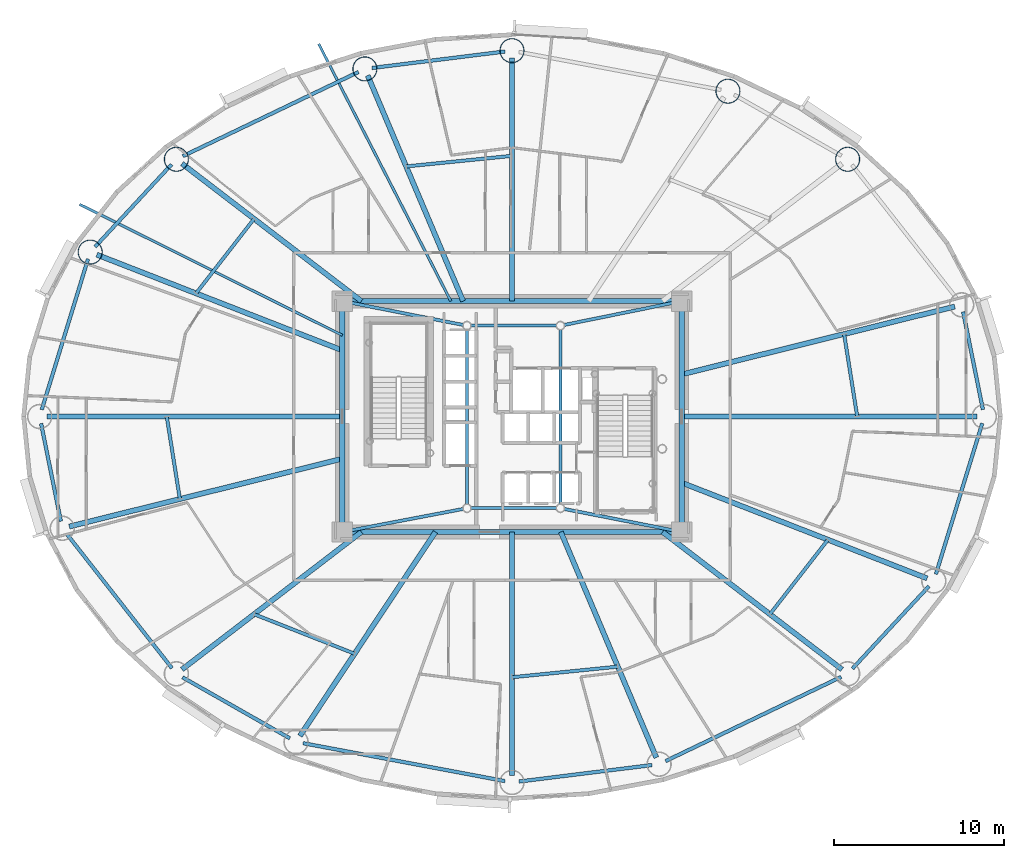
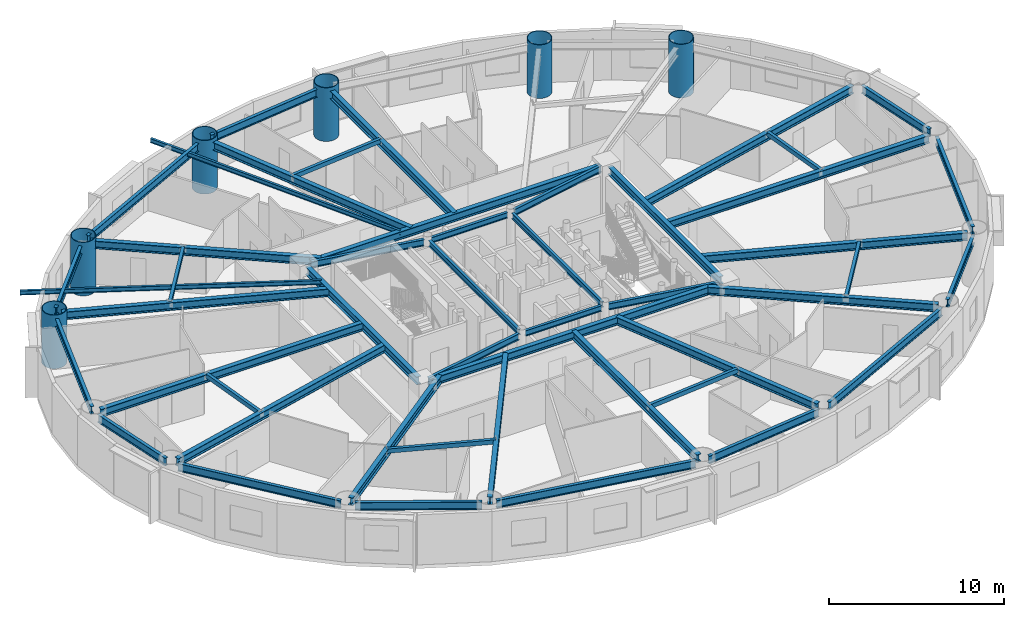
# One storey, part 3 of 21: 48 beams, 6 columns.
"""IFC4 building model written with IfcOpenShell, lengths in metres."""

from ifc_helpers import new_model, si_unit, direction, frame, origin, origin_2d, place, context, subcontext, project, spatial, hollow_rectangle, hollow_circle, i_section, extrude, material, material_profile, profile_set, type_object, element, save


model = new_model("IFC4")

# Units and contexts
model_context = context("Model", 3, precision=1e-05, world=origin(), true_north=direction((0.0, 1.0)))
body_context = subcontext(model_context, "Body", "Model", "MODEL_VIEW")
ifc_project = project(units=[si_unit("LENGTHUNIT", "METRE"), si_unit("AREAUNIT", "SQUARE_METRE"), si_unit("VOLUMEUNIT", "CUBIC_METRE"), si_unit("PLANEANGLEUNIT", "RADIAN"), si_unit("MASSUNIT", "GRAM", prefix="KILO")], contexts=[model_context])

# Site, building, storey
site_placement = place(None, origin())
site = spatial("IfcSite", under=ifc_project, at=site_placement, CompositionType="ELEMENT")
building_placement = place(site_placement, origin())
building = spatial("IfcBuilding", under=site, at=building_placement, Name="Linh Dai School and Residence Tower", CompositionType="ELEMENT")
storey_placement = place(building_placement, frame((0.0, 0.0, 115.949951171875)))
storey = spatial("IfcBuildingStorey", under=building, at=storey_placement, Name="L27", CompositionType="ELEMENT", Elevation=115.949951171875)

# Columns
ifc_material = material(Name="Structural Steel S355JR", Category="steel")
ifc_material_profile_1 = material_profile(ifc_material, hollow_circle(Radius=0.72509765625, WallThickness=0.0419921875, at=origin_2d()), Name="CHS 1450x42")
ifc_profile_set_1 = profile_set([ifc_material_profile_1], Name="Structural Steel S355JR")
column_type = type_object("IfcColumnType", Name="COL-MC3", PredefinedType="COLUMN", material=ifc_profile_set_1)
for number, where, z_axis, x_axis, name in (
    (1, (55.772705078125, 42.155517578125, 0.0), (0.0, 0.0, 1.0), (1.0, 0.0, 0.0), "L27 Perimeter CFT Mega-Column MC03"),
    (2, (48.721923828125, 46.1650390625, 0.0), (0.0, 0.0, 1.0), (1.0, 0.0, 0.0), "L27 Perimeter CFT Mega-Column MC04"),
    (3, (36.0, 48.554931640625, 0.0), (0.0, 0.0, 1.0), (1.0, 0.0, 0.0), "L27 Perimeter CFT Mega-Column MC05"),
    (4, (27.33447265625, 47.480712890625, 0.0), (0.0, 0.0, 1.0), (1.0, 0.0, 0.0), "L27 Perimeter CFT Mega-Column MC06"),
    (5, (16.227294921875, 42.155517578125, 0.0), (0.0, 0.0, 1.0), (1.0, 0.0, 0.0), "L27 Perimeter CFT Mega-Column MC07"),
    (6, (11.15087890625, 36.6875, 0.0), (0.0, 0.0, 1.0), (1.0, 0.0, 0.0), "L27 Perimeter CFT Mega-Column MC08"),
):
    element("IfcColumn", number, at=place(storey_placement, frame(where, z_axis=z_axis, x_axis=x_axis)), inside=storey, type_object=column_type, Name=name, PredefinedType="COLUMN", context=body_context, shape_type="SweptSolid", body=[
        extrude(hollow_circle(Radius=0.72509765625, WallThickness=0.0419921875, at=origin_2d()), origin(), (0.0, 0.0, 1.0), 3.75),
    ])

# Beams
ifc_material_profile_2 = material_profile(ifc_material, i_section(OverallWidth=0.14990234375, OverallDepth=0.300048828125, WebThickness=0.007080078125, FlangeThickness=0.0107421875, at=origin_2d()), Name="IPE 300")
ifc_profile_set_2 = profile_set([ifc_material_profile_2], Name="Structural Steel S355JR")
beam_type_1 = type_object("IfcBeamType", Name="BM-BALC-CANT", PredefinedType="BEAM", material=ifc_profile_set_2)
beam_1_placement = place(storey_placement, frame((32.39501953125, 33.800048828125, 3.35009765625), z_axis=(-0.456823084527, 0.889557569493, 0.0), x_axis=(-0.889557569493, -0.456823084527, 0.0)))
element("IfcBeam", 7, at=beam_1_placement, inside=storey, type_object=beam_type_1, Name="L28 Balcony Continuous Cantilever Beam 13", PredefinedType="BEAM", context=body_context, shape_type="SweptSolid", body=[
    extrude(i_section(OverallWidth=0.14990234375, OverallDepth=0.300048828125, WebThickness=0.007080078125, FlangeThickness=0.0107421875, at=origin_2d()), origin(), (0.0, 0.0, 1.0), 17.027099609375),
])
beam_2_placement = place(storey_placement, frame((26.0, 31.786376953125, 3.35009765625), z_axis=(-0.894957307699, 0.446151787395, 0.0), x_axis=(-0.446151787395, -0.894957307699, 0.0)))
element("IfcBeam", 8, at=beam_2_placement, inside=storey, type_object=beam_type_1, Name="L28 Balcony Continuous Cantilever Beam 17", PredefinedType="BEAM", context=body_context, shape_type="SweptSolid", body=[
    extrude(i_section(OverallWidth=0.14990234375, OverallDepth=0.300048828125, WebThickness=0.007080078125, FlangeThickness=0.0107421875, at=origin_2d()), origin(), (0.0, 0.0, 1.0), 17.2958984375),
])
ifc_material_profile_3 = material_profile(ifc_material, hollow_rectangle(XDim=0.199951171875, YDim=0.300048828125, WallThickness=0.010009765625, at=origin_2d()), Name="RHS 300x200x10")
ifc_profile_set_3 = profile_set([ifc_material_profile_3], Name="Structural Steel S355JR")
beam_type_2 = type_object("IfcBeamType", Name="BM-BX3", PredefinedType="BEAM", material=ifc_profile_set_3)
beam_3_placement = place(storey_placement, frame((56.337646484375, 27.0048828125, 3.35009765625), z_axis=(-0.157026901302, 0.987594325757, 0.0), x_axis=(-0.987594325757, -0.157026901302, 0.0)))
element("IfcBeam", 9, at=beam_3_placement, inside=storey, type_object=beam_type_2, Name="L27 Secondary Circumferential Floor Beam 01", PredefinedType="BEAM", context=body_context, shape_type="SweptSolid", body=[
    extrude(hollow_rectangle(XDim=0.199951171875, YDim=0.300048828125, WallThickness=0.010009765625, at=origin_2d()), origin(), (0.0, 0.0, 1.0), 4.91162109375),
])
beam_4_placement = place(storey_placement, frame((35.9951171875, 42.357421875, 3.35009765625), z_axis=(-0.995043370853, -0.099441893196, 0.0), x_axis=(0.099441893196, -0.995043370853, 0.0)))
element("IfcBeam", 10, at=beam_4_placement, inside=storey, type_object=beam_type_2, Name="L27 Secondary Circumferential Floor Beam 03", PredefinedType="BEAM", context=body_context, shape_type="SweptSolid", body=[
    extrude(hollow_rectangle(XDim=0.199951171875, YDim=0.300048828125, WallThickness=0.010009765625, at=origin_2d()), origin(), (0.0, 0.0, 1.0), 6.255615234375),
])
beam_5_placement = place(storey_placement, frame((20.802734375, 38.64208984375, 3.35009765625), z_axis=(-0.614369629322, -0.789018351223, 0.0), x_axis=(0.789018351223, -0.614369629322, 0.0)))
element("IfcBeam", 11, at=beam_5_placement, inside=storey, type_object=beam_type_2, Name="L27 Secondary Circumferential Floor Beam 04", PredefinedType="BEAM", context=body_context, shape_type="SweptSolid", body=[
    extrude(hollow_rectangle(XDim=0.199951171875, YDim=0.300048828125, WallThickness=0.010009765625, at=origin_2d()), origin(), (0.0, 0.0, 1.0), 5.553955078125),
])
beam_6_placement = place(storey_placement, frame((15.662353515625, 26.9951171875, 3.35009765625), z_axis=(0.157026901302, -0.987594325757, 0.0), x_axis=(0.987594325757, 0.157026901302, 0.0)))
element("IfcBeam", 12, at=beam_6_placement, inside=storey, type_object=beam_type_2, Name="L27 Secondary Circumferential Floor Beam 05", PredefinedType="BEAM", context=body_context, shape_type="SweptSolid", body=[
    extrude(hollow_rectangle(XDim=0.199951171875, YDim=0.300048828125, WallThickness=0.010009765625, at=origin_2d()), origin(), (0.0, 0.0, 1.0), 4.91162109375),
])
beam_7_placement = place(storey_placement, frame((20.810546875, 15.35205078125, 3.35009765625), z_axis=(0.930742146732, -0.365676163151, 0.0), x_axis=(0.365676163151, 0.930742146732, 0.0)))
element("IfcBeam", 13, at=beam_7_placement, inside=storey, type_object=beam_type_2, Name="L27 Secondary Circumferential Floor Beam 06", PredefinedType="BEAM", context=body_context, shape_type="SweptSolid", body=[
    extrude(hollow_rectangle(XDim=0.199951171875, YDim=0.300048828125, WallThickness=0.010009765625, at=origin_2d()), origin(), (0.0, 0.0, 1.0), 6.349853515625),
])
beam_8_placement = place(storey_placement, frame((36.0048828125, 11.642578125, 3.35009765625), z_axis=(0.995043370853, 0.099441893196, 0.0), x_axis=(-0.099441893196, 0.995043370853, 0.0)))
element("IfcBeam", 14, at=beam_8_placement, inside=storey, type_object=beam_type_2, Name="L27 Secondary Circumferential Floor Beam 07", PredefinedType="BEAM", context=body_context, shape_type="SweptSolid", body=[
    extrude(hollow_rectangle(XDim=0.199951171875, YDim=0.300048828125, WallThickness=0.010009765625, at=origin_2d()), origin(), (0.0, 0.0, 1.0), 6.255615234375),
])
beam_9_placement = place(storey_placement, frame((51.197265625, 15.35791015625, 3.35009765625), z_axis=(0.614369629322, 0.789018351223, 0.0), x_axis=(-0.789018351223, 0.614369629322, 0.0)))
element("IfcBeam", 15, at=beam_9_placement, inside=storey, type_object=beam_type_2, Name="L27 Secondary Circumferential Floor Beam 08", PredefinedType="BEAM", context=body_context, shape_type="SweptSolid", body=[
    extrude(hollow_rectangle(XDim=0.199951171875, YDim=0.300048828125, WallThickness=0.010009765625, at=origin_2d()), origin(), (0.0, 0.0, 1.0), 5.553955078125),
])
ifc_material_profile_4 = material_profile(ifc_material, i_section(OverallWidth=0.2099609375, OverallDepth=0.550048828125, WebThickness=0.010986328125, FlangeThickness=0.01708984375, FilletRadius=0.02392578125, at=origin_2d()), Name="IPE 550")
ifc_profile_set_4 = profile_set([ifc_material_profile_4], Name="Structural Steel S355JR")
beam_type_3 = type_object("IfcBeamType", Name="BM-RB55", PredefinedType="BEAM", material=ifc_profile_set_4)
beam_10_placement = place(storey_placement, frame((63.74169921875, 27.41162109375, 3.22509765625), z_axis=(-0.198441254313, 0.980112783605, 0.0), x_axis=(-0.980112783605, -0.198441254313, 0.0)))
element("IfcBeam", 16, at=beam_10_placement, inside=storey, type_object=beam_type_3, Name="L27 Perimeter Elliptical Ring Beam 01", PredefinedType="BEAM", context=body_context, shape_type="SweptSolid", body=[
    extrude(i_section(OverallWidth=0.2099609375, OverallDepth=0.550048828125, WebThickness=0.010986328125, FlangeThickness=0.01708984375, FilletRadius=0.02392578125, at=origin_2d()), origin(), (0.0, 0.0, 1.0), 5.874755859375),
])
beam_11_placement = place(storey_placement, frame((35.583251953125, 48.50341796875, 3.22509765625), z_axis=(-0.992399234854, -0.123059979933, 0.0), x_axis=(0.123059979933, -0.992399234854, 0.0)))
element("IfcBeam", 17, at=beam_11_placement, inside=storey, type_object=beam_type_3, Name="L27 Perimeter Elliptical Ring Beam 05", PredefinedType="BEAM", context=body_context, shape_type="SweptSolid", body=[
    extrude(i_section(OverallWidth=0.2099609375, OverallDepth=0.550048828125, WebThickness=0.010986328125, FlangeThickness=0.01708984375, FilletRadius=0.02392578125, at=origin_2d()), origin(), (0.0, 0.0, 1.0), 7.89208984375),
])
beam_12_placement = place(storey_placement, frame((26.955810546875, 47.299072265625, 3.22509765625), z_axis=(-0.901715153312, -0.432330640005, 0.0), x_axis=(0.432330640005, -0.901715153312, 0.0)))
element("IfcBeam", 18, at=beam_12_placement, inside=storey, type_object=beam_type_3, Name="L27 Perimeter Elliptical Ring Beam 06", PredefinedType="BEAM", context=body_context, shape_type="SweptSolid", body=[
    extrude(i_section(OverallWidth=0.2099609375, OverallDepth=0.550048828125, WebThickness=0.010986328125, FlangeThickness=0.01708984375, FilletRadius=0.02392578125, at=origin_2d()), origin(), (0.0, 0.0, 1.0), 11.477783203125),
])
beam_13_placement = place(storey_placement, frame((15.941650390625, 41.84765625, 3.22509765625), z_axis=(-0.680384623752, -0.732855213369, 0.0), x_axis=(0.732855213369, -0.680384623752, 0.0)))
element("IfcBeam", 19, at=beam_13_placement, inside=storey, type_object=beam_type_3, Name="L27 Perimeter Elliptical Ring Beam 07", PredefinedType="BEAM", context=body_context, shape_type="SweptSolid", body=[
    extrude(i_section(OverallWidth=0.2099609375, OverallDepth=0.550048828125, WebThickness=0.010986328125, FlangeThickness=0.01708984375, FilletRadius=0.02392578125, at=origin_2d()), origin(), (0.0, 0.0, 1.0), 6.62109375),
])
beam_14_placement = place(storey_placement, frame((11.027587890625, 36.2861328125, 3.22509765625), z_axis=(-0.29364097848, -0.95591577859, 0.0), x_axis=(0.95591577859, -0.29364097848, 0.0)))
element("IfcBeam", 20, at=beam_14_placement, inside=storey, type_object=beam_type_3, Name="L27 Perimeter Elliptical Ring Beam 08", PredefinedType="BEAM", context=body_context, shape_type="SweptSolid", body=[
    extrude(i_section(OverallWidth=0.2099609375, OverallDepth=0.550048828125, WebThickness=0.010986328125, FlangeThickness=0.01708984375, FilletRadius=0.02392578125, at=origin_2d()), origin(), (0.0, 0.0, 1.0), 9.29443359375),
])
beam_15_placement = place(storey_placement, frame((8.25830078125, 26.58837890625, 3.22509765625), z_axis=(0.198441254313, -0.980112783605, 0.0), x_axis=(0.980112783605, 0.198441254313, 0.0)))
element("IfcBeam", 21, at=beam_15_placement, inside=storey, type_object=beam_type_3, Name="L27 Perimeter Elliptical Ring Beam 09", PredefinedType="BEAM", context=body_context, shape_type="SweptSolid", body=[
    extrude(i_section(OverallWidth=0.2099609375, OverallDepth=0.550048828125, WebThickness=0.010986328125, FlangeThickness=0.01708984375, FilletRadius=0.02392578125, at=origin_2d()), origin(), (0.0, 0.0, 1.0), 5.874755859375),
])
beam_16_placement = place(storey_placement, frame((9.766357421875, 20.08837890625, 3.22509765625), z_axis=(0.616854830973, -0.787076945098, 0.0), x_axis=(0.787076945098, 0.616854830973, 0.0)))
element("IfcBeam", 22, at=beam_16_placement, inside=storey, type_object=beam_type_3, Name="L27 Perimeter Elliptical Ring Beam 10", PredefinedType="BEAM", context=body_context, shape_type="SweptSolid", body=[
    extrude(i_section(OverallWidth=0.2099609375, OverallDepth=0.550048828125, WebThickness=0.010986328125, FlangeThickness=0.01708984375, FilletRadius=0.02392578125, at=origin_2d()), origin(), (0.0, 0.0, 1.0), 10.053955078125),
])
beam_17_placement = place(storey_placement, frame((16.592529296875, 11.636962890625, 3.22509765625), z_axis=(0.86927031475, -0.494337050902, 0.0), x_axis=(0.494337050902, 0.86927031475, 0.0)))
element("IfcBeam", 23, at=beam_17_placement, inside=storey, type_object=beam_type_3, Name="L27 Perimeter Elliptical Ring Beam 11", PredefinedType="BEAM", context=body_context, shape_type="SweptSolid", body=[
    extrude(i_section(OverallWidth=0.2099609375, OverallDepth=0.550048828125, WebThickness=0.010986328125, FlangeThickness=0.01708984375, FilletRadius=0.02392578125, at=origin_2d()), origin(), (0.0, 0.0, 1.0), 7.270751953125),
])
beam_18_placement = place(storey_placement, frame((23.69091796875, 7.75732421875, 3.22509765625), z_axis=(0.982807507457, -0.184633158685, 0.0), x_axis=(0.184633158685, 0.982807507457, 0.0)))
element("IfcBeam", 24, at=beam_18_placement, inside=storey, type_object=beam_type_3, Name="L27 Perimeter Elliptical Ring Beam 12", PredefinedType="BEAM", context=body_context, shape_type="SweptSolid", body=[
    extrude(i_section(OverallWidth=0.2099609375, OverallDepth=0.550048828125, WebThickness=0.010986328125, FlangeThickness=0.01708984375, FilletRadius=0.02392578125, at=origin_2d()), origin(), (0.0, 0.0, 1.0), 12.104248046875),
])
beam_19_placement = place(storey_placement, frame((36.416748046875, 5.49658203125, 3.22509765625), z_axis=(0.992399234854, 0.123059979933, 0.0), x_axis=(-0.123059979933, 0.992399234854, 0.0)))
element("IfcBeam", 25, at=beam_19_placement, inside=storey, type_object=beam_type_3, Name="L27 Perimeter Elliptical Ring Beam 13", PredefinedType="BEAM", context=body_context, shape_type="SweptSolid", body=[
    extrude(i_section(OverallWidth=0.2099609375, OverallDepth=0.550048828125, WebThickness=0.010986328125, FlangeThickness=0.01708984375, FilletRadius=0.02392578125, at=origin_2d()), origin(), (0.0, 0.0, 1.0), 7.89208984375),
])
beam_20_placement = place(storey_placement, frame((45.044189453125, 6.700927734375, 3.22509765625), z_axis=(0.901715153312, 0.432330640005, 0.0), x_axis=(-0.432330640005, 0.901715153312, 0.0)))
element("IfcBeam", 26, at=beam_20_placement, inside=storey, type_object=beam_type_3, Name="L27 Perimeter Elliptical Ring Beam 14", PredefinedType="BEAM", context=body_context, shape_type="SweptSolid", body=[
    extrude(i_section(OverallWidth=0.2099609375, OverallDepth=0.550048828125, WebThickness=0.010986328125, FlangeThickness=0.01708984375, FilletRadius=0.02392578125, at=origin_2d()), origin(), (0.0, 0.0, 1.0), 11.477783203125),
])
beam_21_placement = place(storey_placement, frame((56.058349609375, 12.15234375, 3.22509765625), z_axis=(0.680384623752, 0.732855213369, 0.0), x_axis=(-0.732855213369, 0.680384623752, 0.0)))
element("IfcBeam", 27, at=beam_21_placement, inside=storey, type_object=beam_type_3, Name="L27 Perimeter Elliptical Ring Beam 15", PredefinedType="BEAM", context=body_context, shape_type="SweptSolid", body=[
    extrude(i_section(OverallWidth=0.2099609375, OverallDepth=0.550048828125, WebThickness=0.010986328125, FlangeThickness=0.01708984375, FilletRadius=0.02392578125, at=origin_2d()), origin(), (0.0, 0.0, 1.0), 6.62109375),
])
beam_22_placement = place(storey_placement, frame((60.972412109375, 17.7138671875, 3.22509765625), z_axis=(0.29364097848, 0.95591577859, 0.0), x_axis=(-0.95591577859, 0.29364097848, 0.0)))
element("IfcBeam", 28, at=beam_22_placement, inside=storey, type_object=beam_type_3, Name="L27 Perimeter Elliptical Ring Beam 16", PredefinedType="BEAM", context=body_context, shape_type="SweptSolid", body=[
    extrude(i_section(OverallWidth=0.2099609375, OverallDepth=0.550048828125, WebThickness=0.010986328125, FlangeThickness=0.01708984375, FilletRadius=0.02392578125, at=origin_2d()), origin(), (0.0, 0.0, 1.0), 9.29443359375),
])
ifc_material_profile_5 = material_profile(ifc_material, i_section(OverallWidth=0.300048828125, OverallDepth=0.550048828125, WebThickness=0.014892578125, FlangeThickness=0.029052734375, FilletRadius=0.027099609375, at=origin_2d()), Name="HEB 550")
ifc_profile_set_5 = profile_set([ifc_material_profile_5], Name="Structural Steel S355JR")
beam_type_4 = type_object("IfcBeamType", Name="BM-RG55", PredefinedType="BEAM", material=ifc_profile_set_5)
beam_23_placement = place(storey_placement, frame((26.419921875, 20.199951171875, 3.22509765625), z_axis=(1.0, 0.0, 0.0), x_axis=(0.0, 1.0, 0.0)))
element("IfcBeam", 29, at=beam_23_placement, inside=storey, type_object=beam_type_4, Name="L27 Core Perimeter Coupling Girder 1", PredefinedType="BEAM", context=body_context, shape_type="SweptSolid", body=[
    extrude(i_section(OverallWidth=0.300048828125, OverallDepth=0.550048828125, WebThickness=0.014892578125, FlangeThickness=0.029052734375, FilletRadius=0.027099609375, at=origin_2d()), origin(), (0.0, 0.0, 1.0), 19.16015625),
])
beam_24_placement = place(storey_placement, frame((46.0, 20.6201171875, 3.22509765625), z_axis=(0.0, 1.0, 0.0), x_axis=(-1.0, 0.0, 0.0)))
element("IfcBeam", 30, at=beam_24_placement, inside=storey, type_object=beam_type_4, Name="L27 Core Perimeter Coupling Girder 2", PredefinedType="BEAM", context=body_context, shape_type="SweptSolid", body=[
    extrude(i_section(OverallWidth=0.300048828125, OverallDepth=0.550048828125, WebThickness=0.014892578125, FlangeThickness=0.029052734375, FilletRadius=0.027099609375, at=origin_2d()), origin(), (0.0, 0.0, 1.0), 12.759765625),
])
beam_25_placement = place(storey_placement, frame((45.580078125, 33.800048828125, 3.22509765625), z_axis=(-1.0, 0.0, 0.0), x_axis=(0.0, -1.0, 0.0)))
element("IfcBeam", 31, at=beam_25_placement, inside=storey, type_object=beam_type_4, Name="L27 Core Perimeter Coupling Girder 3", PredefinedType="BEAM", context=body_context, shape_type="SweptSolid", body=[
    extrude(i_section(OverallWidth=0.300048828125, OverallDepth=0.550048828125, WebThickness=0.014892578125, FlangeThickness=0.029052734375, FilletRadius=0.027099609375, at=origin_2d()), origin(), (0.0, 0.0, 1.0), 19.16015625),
])
beam_26_placement = place(storey_placement, frame((26.0, 33.3798828125, 3.22509765625), z_axis=(0.0, -1.0, 0.0), x_axis=(1.0, 0.0, 0.0)))
element("IfcBeam", 32, at=beam_26_placement, inside=storey, type_object=beam_type_4, Name="L27 Core Perimeter Coupling Girder 4", PredefinedType="BEAM", context=body_context, shape_type="SweptSolid", body=[
    extrude(i_section(OverallWidth=0.300048828125, OverallDepth=0.550048828125, WebThickness=0.014892578125, FlangeThickness=0.029052734375, FilletRadius=0.027099609375, at=origin_2d()), origin(), (0.0, 0.0, 1.0), 12.759765625),
])
beam_27_placement = place(storey_placement, frame((46.0, 27.0, 3.22509765625), z_axis=(1.0, 0.0, 0.0), x_axis=(0.0, 1.0, 0.0)))
element("IfcBeam", 33, at=beam_27_placement, inside=storey, type_object=beam_type_4, Name="L27 Primary Radial Floor Girder 01", PredefinedType="BEAM", context=body_context, shape_type="SweptSolid", body=[
    extrude(i_section(OverallWidth=0.300048828125, OverallDepth=0.550048828125, WebThickness=0.014892578125, FlangeThickness=0.029052734375, FilletRadius=0.027099609375, at=origin_2d()), origin(), (0.0, 0.0, 1.0), 17.405029296875),
])
beam_28_placement = place(storey_placement, frame((46.0, 29.484130859375, 3.22509765625), z_axis=(0.970505338376, 0.241079630379, 0.0), x_axis=(-0.241079630379, 0.970505338376, 0.0)))
element("IfcBeam", 34, at=beam_28_placement, inside=storey, type_object=beam_type_4, Name="L27 Primary Radial Floor Girder 02", PredefinedType="BEAM", context=body_context, shape_type="SweptSolid", body=[
    extrude(i_section(OverallWidth=0.300048828125, OverallDepth=0.550048828125, WebThickness=0.014892578125, FlangeThickness=0.029052734375, FilletRadius=0.027099609375, at=origin_2d()), origin(), (0.0, 0.0, 1.0), 16.57373046875),
])
beam_29_placement = place(storey_placement, frame((36.0, 33.800048828125, 3.22509765625), z_axis=(0.0, 1.0, 0.0), x_axis=(-1.0, 0.0, 0.0)))
element("IfcBeam", 35, at=beam_29_placement, inside=storey, type_object=beam_type_4, Name="L27 Primary Radial Floor Girder 05", PredefinedType="BEAM", context=body_context, shape_type="SweptSolid", body=[
    extrude(i_section(OverallWidth=0.300048828125, OverallDepth=0.550048828125, WebThickness=0.014892578125, FlangeThickness=0.029052734375, FilletRadius=0.027099609375, at=origin_2d()), origin(), (0.0, 0.0, 1.0), 14.3349609375),
])
beam_30_placement = place(storey_placement, frame((33.122802734375, 33.800048828125, 3.22509765625), z_axis=(-0.389669233739, 0.920954878524, 0.0), x_axis=(-0.920954878524, -0.389669233739, 0.0)))
element("IfcBeam", 36, at=beam_30_placement, inside=storey, type_object=beam_type_4, Name="L27 Primary Radial Floor Girder 06", PredefinedType="BEAM", context=body_context, shape_type="SweptSolid", body=[
    extrude(i_section(OverallWidth=0.300048828125, OverallDepth=0.550048828125, WebThickness=0.014892578125, FlangeThickness=0.029052734375, FilletRadius=0.027099609375, at=origin_2d()), origin(), (0.0, 0.0, 1.0), 14.434814453125),
])
beam_31_placement = place(storey_placement, frame((27.12841796875, 33.800048828125, 3.22509765625), z_axis=(-0.793678660795, 0.608337228352, 0.0), x_axis=(-0.608337228352, -0.793678660795, 0.0)))
element("IfcBeam", 37, at=beam_31_placement, inside=storey, type_object=beam_type_4, Name="L27 Primary Radial Floor Girder 07", PredefinedType="BEAM", context=body_context, shape_type="SweptSolid", body=[
    extrude(i_section(OverallWidth=0.300048828125, OverallDepth=0.550048828125, WebThickness=0.014892578125, FlangeThickness=0.029052734375, FilletRadius=0.027099609375, at=origin_2d()), origin(), (0.0, 0.0, 1.0), 13.314697265625),
])
beam_32_placement = place(storey_placement, frame((26.0, 30.8984375, 3.22509765625), z_axis=(-0.931699338449, 0.363230426498, 0.0), x_axis=(-0.363230426498, -0.931699338449, 0.0)))
element("IfcBeam", 38, at=beam_32_placement, inside=storey, type_object=beam_type_4, Name="L27 Primary Radial Floor Girder 08", PredefinedType="BEAM", context=body_context, shape_type="SweptSolid", body=[
    extrude(i_section(OverallWidth=0.300048828125, OverallDepth=0.550048828125, WebThickness=0.014892578125, FlangeThickness=0.029052734375, FilletRadius=0.027099609375, at=origin_2d()), origin(), (0.0, 0.0, 1.0), 15.517578125),
])
beam_33_placement = place(storey_placement, frame((26.0, 27.0, 3.22509765625), z_axis=(-1.0, 0.0, 0.0), x_axis=(0.0, -1.0, 0.0)))
element("IfcBeam", 39, at=beam_33_placement, inside=storey, type_object=beam_type_4, Name="L27 Primary Radial Floor Girder 09", PredefinedType="BEAM", context=body_context, shape_type="SweptSolid", body=[
    extrude(i_section(OverallWidth=0.300048828125, OverallDepth=0.550048828125, WebThickness=0.014892578125, FlangeThickness=0.029052734375, FilletRadius=0.027099609375, at=origin_2d()), origin(), (0.0, 0.0, 1.0), 17.405029296875),
])
beam_34_placement = place(storey_placement, frame((26.0, 24.515869140625, 3.22509765625), z_axis=(-0.970505338376, -0.241079630379, 0.0), x_axis=(0.241079630379, -0.970505338376, 0.0)))
element("IfcBeam", 40, at=beam_34_placement, inside=storey, type_object=beam_type_4, Name="L27 Primary Radial Floor Girder 10", PredefinedType="BEAM", context=body_context, shape_type="SweptSolid", body=[
    extrude(i_section(OverallWidth=0.300048828125, OverallDepth=0.550048828125, WebThickness=0.014892578125, FlangeThickness=0.029052734375, FilletRadius=0.027099609375, at=origin_2d()), origin(), (0.0, 0.0, 1.0), 16.57373046875),
])
beam_35_placement = place(storey_placement, frame((27.12841796875, 20.199951171875, 3.22509765625), z_axis=(-0.793678660795, -0.608337228352, 0.0), x_axis=(0.608337228352, -0.793678660795, 0.0)))
element("IfcBeam", 41, at=beam_35_placement, inside=storey, type_object=beam_type_4, Name="L27 Primary Radial Floor Girder 11", PredefinedType="BEAM", context=body_context, shape_type="SweptSolid", body=[
    extrude(i_section(OverallWidth=0.300048828125, OverallDepth=0.550048828125, WebThickness=0.014892578125, FlangeThickness=0.029052734375, FilletRadius=0.027099609375, at=origin_2d()), origin(), (0.0, 0.0, 1.0), 13.314697265625),
])
beam_36_placement = place(storey_placement, frame((31.486083984375, 20.199951171875, 3.22509765625), z_axis=(-0.553054392401, -0.833145148846, 0.0), x_axis=(0.833145148846, -0.553054392401, 0.0)))
element("IfcBeam", 42, at=beam_36_placement, inside=storey, type_object=beam_type_4, Name="L27 Primary Radial Floor Girder 12", PredefinedType="BEAM", context=body_context, shape_type="SweptSolid", body=[
    extrude(i_section(OverallWidth=0.300048828125, OverallDepth=0.550048828125, WebThickness=0.014892578125, FlangeThickness=0.029052734375, FilletRadius=0.027099609375, at=origin_2d()), origin(), (0.0, 0.0, 1.0), 14.42138671875),
])
beam_37_placement = place(storey_placement, frame((36.0, 20.199951171875, 3.22509765625), z_axis=(0.0, -1.0, 0.0), x_axis=(1.0, 0.0, 0.0)))
element("IfcBeam", 43, at=beam_37_placement, inside=storey, type_object=beam_type_4, Name="L27 Primary Radial Floor Girder 13", PredefinedType="BEAM", context=body_context, shape_type="SweptSolid", body=[
    extrude(i_section(OverallWidth=0.300048828125, OverallDepth=0.550048828125, WebThickness=0.014892578125, FlangeThickness=0.029052734375, FilletRadius=0.027099609375, at=origin_2d()), origin(), (0.0, 0.0, 1.0), 14.3349609375),
])
beam_38_placement = place(storey_placement, frame((38.877197265625, 20.199951171875, 3.22509765625), z_axis=(0.389669233739, -0.920954878524, 0.0), x_axis=(0.920954878524, 0.389669233739, 0.0)))
element("IfcBeam", 44, at=beam_38_placement, inside=storey, type_object=beam_type_4, Name="L27 Primary Radial Floor Girder 14", PredefinedType="BEAM", context=body_context, shape_type="SweptSolid", body=[
    extrude(i_section(OverallWidth=0.300048828125, OverallDepth=0.550048828125, WebThickness=0.014892578125, FlangeThickness=0.029052734375, FilletRadius=0.027099609375, at=origin_2d()), origin(), (0.0, 0.0, 1.0), 14.434814453125),
])
beam_39_placement = place(storey_placement, frame((44.87158203125, 20.199951171875, 3.22509765625), z_axis=(0.793678660795, -0.608337228352, 0.0), x_axis=(0.608337228352, 0.793678660795, 0.0)))
element("IfcBeam", 45, at=beam_39_placement, inside=storey, type_object=beam_type_4, Name="L27 Primary Radial Floor Girder 15", PredefinedType="BEAM", context=body_context, shape_type="SweptSolid", body=[
    extrude(i_section(OverallWidth=0.300048828125, OverallDepth=0.550048828125, WebThickness=0.014892578125, FlangeThickness=0.029052734375, FilletRadius=0.027099609375, at=origin_2d()), origin(), (0.0, 0.0, 1.0), 13.314697265625),
])
beam_40_placement = place(storey_placement, frame((46.0, 23.1015625, 3.22509765625), z_axis=(0.931699338449, -0.363230426498, 0.0), x_axis=(0.363230426498, 0.931699338449, 0.0)))
element("IfcBeam", 46, at=beam_40_placement, inside=storey, type_object=beam_type_4, Name="L27 Primary Radial Floor Girder 16", PredefinedType="BEAM", context=body_context, shape_type="SweptSolid", body=[
    extrude(i_section(OverallWidth=0.300048828125, OverallDepth=0.550048828125, WebThickness=0.014892578125, FlangeThickness=0.029052734375, FilletRadius=0.027099609375, at=origin_2d()), origin(), (0.0, 0.0, 1.0), 15.517578125),
])
ifc_material_profile_6 = material_profile(ifc_material, i_section(OverallWidth=0.179931640625, OverallDepth=0.39990234375, WebThickness=0.008544921875, FlangeThickness=0.013427734375, FilletRadius=0.02099609375, at=origin_2d()), Name="IPE 400")
ifc_profile_set_6 = profile_set([ifc_material_profile_6], Name="Structural Steel S355JR")
beam_type_5 = type_object("IfcBeamType", Name="BM-SB40", PredefinedType="BEAM", material=ifc_profile_set_6)
beam_41_placement = place(storey_placement, frame((33.573974609375, 21.60009765625, 3.300048828125), z_axis=(1.0, 0.0, 0.0), x_axis=(0.0, 1.0, 0.0)))
element("IfcBeam", 47, at=beam_41_placement, inside=storey, type_object=beam_type_5, Name="L27 Core Mast Pier Tie Beam 1", PredefinedType="BEAM", context=body_context, shape_type="SweptSolid", body=[
    extrude(i_section(OverallWidth=0.179931640625, OverallDepth=0.39990234375, WebThickness=0.008544921875, FlangeThickness=0.013427734375, FilletRadius=0.02099609375, at=origin_2d()), origin(), (0.0, 0.0, 1.0), 5.052001953125),
])
beam_42_placement = place(storey_placement, frame((38.85009765625, 21.823974609375, 3.300048828125), z_axis=(0.0, 1.0, 0.0), x_axis=(-1.0, 0.0, 0.0)))
element("IfcBeam", 48, at=beam_42_placement, inside=storey, type_object=beam_type_5, Name="L27 Core Mast Pier Tie Beam 2", PredefinedType="BEAM", context=body_context, shape_type="SweptSolid", body=[
    extrude(i_section(OverallWidth=0.179931640625, OverallDepth=0.39990234375, WebThickness=0.008544921875, FlangeThickness=0.013427734375, FilletRadius=0.02099609375, at=origin_2d()), origin(), (0.0, 0.0, 1.0), 10.302001953125),
])
beam_43_placement = place(storey_placement, frame((38.6259765625, 32.35009765625, 3.300048828125), z_axis=(-1.0, 0.0, 0.0), x_axis=(0.0, -1.0, 0.0)))
element("IfcBeam", 49, at=beam_43_placement, inside=storey, type_object=beam_type_5, Name="L27 Core Mast Pier Tie Beam 3", PredefinedType="BEAM", context=body_context, shape_type="SweptSolid", body=[
    extrude(i_section(OverallWidth=0.179931640625, OverallDepth=0.39990234375, WebThickness=0.008544921875, FlangeThickness=0.013427734375, FilletRadius=0.02099609375, at=origin_2d()), origin(), (0.0, 0.0, 1.0), 5.052001953125),
])
beam_44_placement = place(storey_placement, frame((33.35009765625, 32.1259765625, 3.300048828125), z_axis=(0.0, -1.0, 0.0), x_axis=(1.0, 0.0, 0.0)))
element("IfcBeam", 50, at=beam_44_placement, inside=storey, type_object=beam_type_5, Name="L27 Core Mast Pier Tie Beam 4", PredefinedType="BEAM", context=body_context, shape_type="SweptSolid", body=[
    extrude(i_section(OverallWidth=0.179931640625, OverallDepth=0.39990234375, WebThickness=0.008544921875, FlangeThickness=0.013427734375, FilletRadius=0.02099609375, at=origin_2d()), origin(), (0.0, 0.0, 1.0), 10.302001953125),
])
ifc_material_profile_7 = material_profile(ifc_material, i_section(OverallWidth=0.18994140625, OverallDepth=0.449951171875, WebThickness=0.009521484375, FlangeThickness=0.0146484375, FilletRadius=0.02099609375, at=origin_2d()), Name="IPE 450")
ifc_profile_set_7 = profile_set([ifc_material_profile_7], Name="Structural Steel S355JR")
beam_type_6 = type_object("IfcBeamType", Name="BM-SB45", PredefinedType="BEAM", material=ifc_profile_set_7)
beam_45_placement = place(storey_placement, frame((26.41259765625, 20.278564453125, 3.275146484375), z_axis=(0.982337003886, 0.187120311019, 0.0), x_axis=(-0.187120311019, 0.982337003886, 0.0)))
element("IfcBeam", 51, at=beam_45_placement, inside=storey, type_object=beam_type_6, Name="L27 Core Corner-to-Mast Pier Beam 1", PredefinedType="BEAM", context=body_context, shape_type="SweptSolid", body=[
    extrude(i_section(OverallWidth=0.18994140625, OverallDepth=0.449951171875, WebThickness=0.009521484375, FlangeThickness=0.0146484375, FilletRadius=0.02099609375, at=origin_2d()), origin(), (0.0, 0.0, 1.0), 6.838134765625),
])
beam_46_placement = place(storey_placement, frame((45.587890625, 20.28076171875, 3.275146484375), z_axis=(-0.981368554414, 0.192134745446, 0.0), x_axis=(-0.192134745446, -0.981368554414, 0.0)))
element("IfcBeam", 52, at=beam_46_placement, inside=storey, type_object=beam_type_6, Name="L27 Core Corner-to-Mast Pier Beam 2", PredefinedType="BEAM", context=body_context, shape_type="SweptSolid", body=[
    extrude(i_section(OverallWidth=0.18994140625, OverallDepth=0.449951171875, WebThickness=0.009521484375, FlangeThickness=0.0146484375, FilletRadius=0.02099609375, at=origin_2d()), origin(), (0.0, 0.0, 1.0), 6.641845703125),
])
beam_47_placement = place(storey_placement, frame((45.58837890625, 33.716552734375, 3.275146484375), z_axis=(-0.980049140776, -0.19875533116, 0.0), x_axis=(0.19875533116, -0.980049140776, 0.0)))
element("IfcBeam", 53, at=beam_47_placement, inside=storey, type_object=beam_type_6, Name="L27 Core Corner-to-Mast Pier Beam 3", PredefinedType="BEAM", context=body_context, shape_type="SweptSolid", body=[
    extrude(i_section(OverallWidth=0.18994140625, OverallDepth=0.449951171875, WebThickness=0.009521484375, FlangeThickness=0.0146484375, FilletRadius=0.02099609375, at=origin_2d()), origin(), (0.0, 0.0, 1.0), 6.651611328125),
])
beam_48_placement = place(storey_placement, frame((26.412109375, 33.71875, 3.275146484375), z_axis=(0.981087482999, -0.193564848828, 0.0), x_axis=(0.193564848828, 0.981087482999, 0.0)))
element("IfcBeam", 54, at=beam_48_placement, inside=storey, type_object=beam_type_6, Name="L27 Core Corner-to-Mast Pier Beam 4", PredefinedType="BEAM", context=body_context, shape_type="SweptSolid", body=[
    extrude(i_section(OverallWidth=0.18994140625, OverallDepth=0.449951171875, WebThickness=0.009521484375, FlangeThickness=0.0146484375, FilletRadius=0.02099609375, at=origin_2d()), origin(), (0.0, 0.0, 1.0), 6.847412109375),
])

save(model, "model.ifc")
